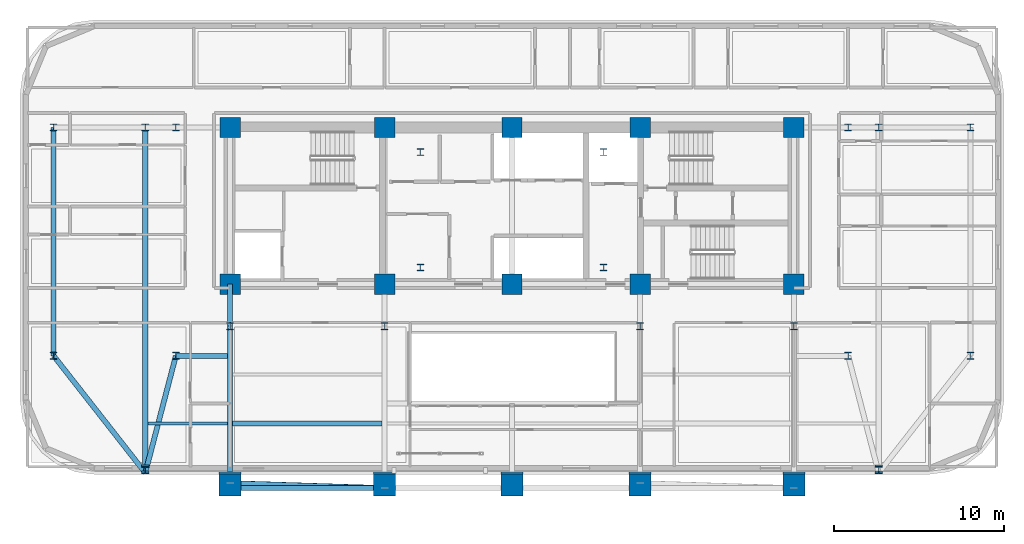
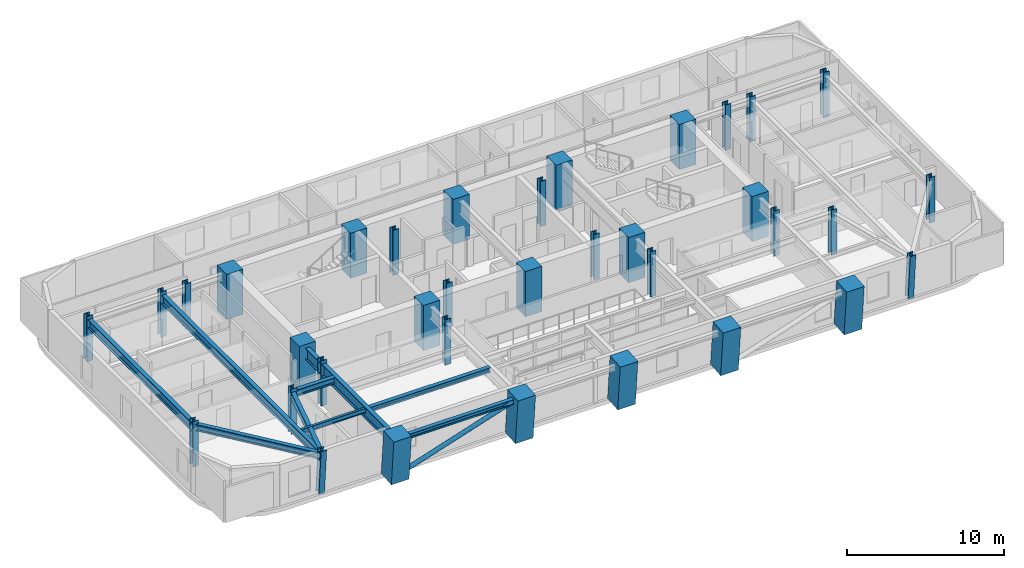
# One storey, part 1 of 15: 35 columns, 10 beams, 1 member.
"""IFC4 building model written with IfcOpenShell, lengths in metres."""

from ifc_helpers import new_model, si_unit, direction, frame, origin, origin_2d, place, context, subcontext, project, spatial, rectangle, hollow_circle, i_section, extrude, material, material_profile, profile_set, type_object, element, save


model = new_model("IFC4")

# Units and contexts
model_context = context("Model", 3, precision=1e-05, world=origin(), true_north=direction((0.0, 1.0)))
body_context = subcontext(model_context, "Body", "Model", "MODEL_VIEW")
ifc_project = project(units=[si_unit("LENGTHUNIT", "METRE"), si_unit("AREAUNIT", "SQUARE_METRE"), si_unit("VOLUMEUNIT", "CUBIC_METRE"), si_unit("PLANEANGLEUNIT", "RADIAN"), si_unit("MASSUNIT", "GRAM", prefix="KILO")], contexts=[model_context])

# Site, building, storey
site_placement = place(None, origin())
site = spatial("IfcSite", under=ifc_project, at=site_placement, CompositionType="ELEMENT")
building_placement = place(site_placement, origin())
building = spatial("IfcBuilding", under=site, at=building_placement, Name="Zarnavel Station Tower", CompositionType="ELEMENT")
storey_placement = place(building_placement, frame((0.0, 0.0, 111.800048828125)))
storey = spatial("IfcBuildingStorey", under=building, at=storey_placement, Name="L30", CompositionType="ELEMENT", Elevation=111.800048828125)

# Columns
ifc_material_1 = material(Name="Steel S460M", Category="steel")
ifc_material_profile_1 = material_profile(ifc_material_1, i_section(OverallWidth=0.41796875, OverallDepth=0.431884765625, WebThickness=0.034912109375, FlangeThickness=0.055908203125, FilletRadius=0.014892578125, at=origin_2d()), Name="HD400x421")
ifc_profile_set_1 = profile_set([ifc_material_profile_1], Name="Steel S460M")
column_type_1 = type_object("IfcColumnType", Name="EC_HD421", PredefinedType="COLUMN", material=ifc_profile_set_1)
for number, where, z_axis, x_axis, name in (
    (1, (1.800048828125, 23.60009765625, 0.0), (0.0, 0.0, 1.0), (1.0, 0.0, 0.0), "L30 Outer Wing South Column 1"),
    (2, (1.800048828125, 37.050048828125, 0.0), (0.0, 0.0, 1.0), (1.0, 0.0, 0.0), "L30 Outer Wing North Column 1"),
):
    element("IfcColumn", number, at=place(storey_placement, frame(where, z_axis=z_axis, x_axis=x_axis)), inside=storey, type_object=column_type_1, Name=name, PredefinedType="COLUMN", context=body_context, shape_type="SweptSolid", body=[
        extrude(i_section(OverallWidth=0.41796875, OverallDepth=0.431884765625, WebThickness=0.034912109375, FlangeThickness=0.055908203125, FilletRadius=0.014892578125, at=origin_2d()), origin(), (0.0, 0.0, 1.0), 3.5),
    ])
for number, where, z_axis, x_axis, name in (
    (3, (7.199951171875, 16.963623046875, 0.0), (0.0, -0.079891690793, 0.996803550226), (1.0, 0.0, 0.0), "L30 Raked Wing Column 2"),
    (4, (50.39990234375, 16.963623046875, 0.0), (0.0, -0.079891690793, 0.996803550226), (1.0, 0.0, 0.0), "L30 Raked Wing Column 3"),
):
    element("IfcColumn", number, at=place(storey_placement, frame(where, z_axis=z_axis, x_axis=x_axis)), inside=storey, type_object=column_type_1, Name=name, PredefinedType="COLUMN", context=body_context, shape_type="SweptSolid", body=[
        extrude(i_section(OverallWidth=0.41796875, OverallDepth=0.431884765625, WebThickness=0.034912109375, FlangeThickness=0.055908203125, FilletRadius=0.014892578125, at=origin_2d()), origin(), (0.0, 0.0, 1.0), 3.51123046875),
    ])
for number, where, z_axis, x_axis, name in (
    (5, (55.800048828125, 23.60009765625, 0.0), (0.0, 0.0, 1.0), (1.0, 0.0, 0.0), "L30 Outer Wing South Column 4"),
    (6, (55.800048828125, 37.050048828125, 0.0), (0.0, 0.0, 1.0), (1.0, 0.0, 0.0), "L30 Outer Wing North Column 4"),
):
    element("IfcColumn", number, at=place(storey_placement, frame(where, z_axis=z_axis, x_axis=x_axis)), inside=storey, type_object=column_type_1, Name=name, PredefinedType="COLUMN", context=body_context, shape_type="SweptSolid", body=[
        extrude(i_section(OverallWidth=0.41796875, OverallDepth=0.431884765625, WebThickness=0.034912109375, FlangeThickness=0.055908203125, FilletRadius=0.014892578125, at=origin_2d()), origin(), (0.0, 0.0, 1.0), 3.5),
    ])
ifc_material_2 = material(Name="Steel S460M", Category="steel")
ifc_material_profile_2 = material_profile(ifc_material_2, i_section(OverallWidth=0.41796875, OverallDepth=0.431884765625, WebThickness=0.034912109375, FlangeThickness=0.055908203125, FilletRadius=0.014892578125, at=origin_2d()), Name="HD400x421")
ifc_profile_set_2 = profile_set([ifc_material_profile_2], Name="Steel S460M")
column_type_2 = type_object("IfcColumnType", Name="IC_HD421", PredefinedType="COLUMN", material=ifc_profile_set_2)
for number, where, z_axis, x_axis, name in (
    (7, (23.39990234375, 28.800048828125, 0.0), (0.0, 0.0, 1.0), (1.0, 0.0, 0.0), "L30 Mast Spine Column 1"),
    (8, (34.199951171875, 28.800048828125, 0.0), (0.0, 0.0, 1.0), (1.0, 0.0, 0.0), "L30 Mast Spine Column 2"),
    (9, (34.199951171875, 35.60009765625, 0.0), (0.0, 0.0, 1.0), (1.0, 0.0, 0.0), "L30 Mast Spine Column 3"),
    (10, (23.39990234375, 35.60009765625, 0.0), (0.0, 0.0, 1.0), (1.0, 0.0, 0.0), "L30 Mast Spine Column 4"),
    (11, (12.199951171875, 25.35009765625, 0.0), (0.0, 0.0, 1.0), (1.0, 0.0, 0.0), "L30 Inner Spine Column 1"),
    (12, (21.300048828125, 25.35009765625, 0.0), (0.0, 0.0, 1.0), (1.0, 0.0, 0.0), "L30 Inner Spine Column 2"),
    (13, (36.35009765625, 25.35009765625, 0.0), (0.0, 0.0, 1.0), (1.0, 0.0, 0.0), "L30 Inner Spine Column 4"),
    (14, (45.39990234375, 25.35009765625, 0.0), (0.0, 0.0, 1.0), (1.0, 0.0, 0.0), "L30 Inner Spine Column 5"),
    (15, (9.0, 23.60009765625, 0.0), (0.0, 0.0, 1.0), (1.0, 0.0, 0.0), "L30 Inner Wing Spine Column 1-1"),
    (16, (9.0, 37.050048828125, 0.0), (0.0, 0.0, 1.0), (1.0, 0.0, 0.0), "L30 Inner Wing Spine Column 1-2"),
    (17, (48.60009765625, 23.60009765625, 0.0), (0.0, 0.0, 1.0), (1.0, 0.0, 0.0), "L30 Inner Wing Spine Column 2-1"),
    (18, (48.60009765625, 37.050048828125, 0.0), (0.0, 0.0, 1.0), (1.0, 0.0, 0.0), "L30 Inner Wing Spine Column 2-2"),
    (19, (7.199951171875, 37.050048828125, 0.0), (0.0, 0.0, 1.0), (1.0, 0.0, 0.0), "L30 Outer Wing North Column 2"),
    (20, (50.39990234375, 37.050048828125, 0.0), (0.0, 0.0, 1.0), (1.0, 0.0, 0.0), "L30 Outer Wing North Column 3"),
):
    element("IfcColumn", number, at=place(storey_placement, frame(where, z_axis=z_axis, x_axis=x_axis)), inside=storey, type_object=column_type_2, Name=name, PredefinedType="COLUMN", context=body_context, shape_type="SweptSolid", body=[
        extrude(i_section(OverallWidth=0.41796875, OverallDepth=0.431884765625, WebThickness=0.034912109375, FlangeThickness=0.055908203125, FilletRadius=0.014892578125, at=origin_2d()), origin(), (0.0, 0.0, 1.0), 3.5),
    ])
ifc_material_3 = material(Name="Concrete C50/60", Category="concrete")
ifc_material_profile_3 = material_profile(ifc_material_3, rectangle(XDim=1.199951171875, YDim=1.199951171875, at=origin_2d()), Name="RC1200x1200")
ifc_profile_set_3 = profile_set([ifc_material_profile_3], Name="Concrete C50/60")
column_type_3 = type_object("IfcColumnType", Name="IC_RC1200", PredefinedType="COLUMN", material=ifc_profile_set_3)
for number, where, z_axis, x_axis, name in (
    (21, (12.199951171875, 27.820068359375, 0.0), (0.0, 0.0, 1.0), (1.0, 0.0, 0.0), "L30 Core Spine Column 1-1"),
    (22, (12.199951171875, 37.050048828125, 0.0), (0.0, 0.0, 1.0), (1.0, 0.0, 0.0), "L30 Core Spine Column 1-2"),
    (23, (21.300048828125, 27.820068359375, 0.0), (0.0, 0.0, 1.0), (1.0, 0.0, 0.0), "L30 Core Spine Column 2-1"),
    (24, (21.300048828125, 37.050048828125, 0.0), (0.0, 0.0, 1.0), (1.0, 0.0, 0.0), "L30 Core Spine Column 2-2"),
    (25, (28.800048828125, 27.820068359375, 0.0), (0.0, 0.0, 1.0), (1.0, 0.0, 0.0), "L30 Core Spine Column 3-1"),
    (26, (28.800048828125, 37.050048828125, 0.0), (0.0, 0.0, 1.0), (1.0, 0.0, 0.0), "L30 Core Spine Column 3-2"),
    (27, (36.35009765625, 27.820068359375, 0.0), (0.0, 0.0, 1.0), (1.0, 0.0, 0.0), "L30 Core Spine Column 4-1"),
    (28, (36.35009765625, 37.050048828125, 0.0), (0.0, 0.0, 1.0), (1.0, 0.0, 0.0), "L30 Core Spine Column 4-2"),
    (29, (45.39990234375, 27.820068359375, 0.0), (0.0, 0.0, 1.0), (1.0, 0.0, 0.0), "L30 Core Spine Column 5-1"),
    (30, (45.39990234375, 37.050048828125, 0.0), (0.0, 0.0, 1.0), (1.0, 0.0, 0.0), "L30 Core Spine Column 5-2"),
):
    element("IfcColumn", number, at=place(storey_placement, frame(where, z_axis=z_axis, x_axis=x_axis)), inside=storey, type_object=column_type_3, Name=name, PredefinedType="COLUMN", context=body_context, shape_type="SweptSolid", body=[
        extrude(rectangle(XDim=1.199951171875, YDim=1.199951171875, at=origin_2d()), origin(), (0.0, 0.0, 1.0), 3.5),
    ])
ifc_material_4 = material(Name="Concrete C60/75", Category="concrete")
ifc_material_profile_4 = material_profile(ifc_material_4, rectangle(XDim=1.300048828125, YDim=1.300048828125, at=origin_2d()), Name="RC1300x1300")
ifc_profile_set_4 = profile_set([ifc_material_profile_4], Name="Concrete C60/75")
column_type_4 = type_object("IfcColumnType", Name="MC_RC1300", PredefinedType="COLUMN", material=ifc_profile_set_4)
for number, where, z_axis, x_axis, name in (
    (31, (12.199951171875, 16.0966796875, 0.0), (0.0, -0.090241349316, 0.995919925935), (1.0, 0.0, 0.0), "L30 Raked South Mega-Column 1"),
    (32, (21.300048828125, 16.0966796875, 0.0), (0.0, -0.090241349316, 0.995919925935), (1.0, 0.0, 0.0), "L30 Raked South Mega-Column 2"),
    (33, (28.800048828125, 16.0966796875, 0.0), (0.0, -0.090241349316, 0.995919925935), (1.0, 0.0, 0.0), "L30 Raked South Mega-Column 3"),
    (34, (36.35009765625, 16.0966796875, 0.0), (0.0, -0.090241349316, 0.995919925935), (1.0, 0.0, 0.0), "L30 Raked South Mega-Column 4"),
    (35, (45.39990234375, 16.0966796875, 0.0), (0.0, -0.090241349316, 0.995919925935), (1.0, 0.0, 0.0), "L30 Raked South Mega-Column 5"),
):
    element("IfcColumn", number, at=place(storey_placement, frame(where, z_axis=z_axis, x_axis=x_axis)), inside=storey, type_object=column_type_4, Name=name, PredefinedType="COLUMN", context=body_context, shape_type="SweptSolid", body=[
        extrude(rectangle(XDim=1.300048828125, YDim=1.300048828125, at=origin_2d()), origin(), (0.0, 0.0, 1.0), 3.514404296875),
    ])

# Member
ifc_material_5 = material(Name="Steel S355J2", Category="steel")
ifc_material_profile_5 = material_profile(ifc_material_5, hollow_circle(Radius=0.161865234375, WallThickness=0.012451171875, at=origin_2d()), Name="CHS323.9x12.5")
ifc_profile_set_5 = profile_set([ifc_material_profile_5], Name="Steel S355J2")
member_type = type_object("IfcMemberType", Name="DB_EXT_CHS324", PredefinedType="BRACE", material=ifc_profile_set_5)
member_placement = place(storey_placement, frame((12.199951171875, 16.0966796875, 0.0), z_axis=(0.941635675338, -0.030390827854, 0.335259082669), x_axis=(0.032257711549, 0.999479584607, 0.0)))
element("IfcMember", 36, at=member_placement, inside=storey, type_object=member_type, Name="L30 Persian Exterior Diagonal Frame Brace 1", PredefinedType="BRACE", context=body_context, shape_type="SweptSolid", body=[
    extrude(hollow_circle(Radius=0.161865234375, WallThickness=0.012451171875, at=origin_2d()), origin(), (0.0, 0.0, 1.0), 9.6640625),
])

# Beams
ifc_material_6 = material(Name="Steel S355J2", Category="steel")
ifc_material_profile_6 = material_profile(ifc_material_6, i_section(OverallWidth=0.300048828125, OverallDepth=0.360107421875, WebThickness=0.012451171875, FlangeThickness=0.0224609375, FilletRadius=0.027099609375, at=origin_2d()), Name="HEB360")
ifc_profile_set_6 = profile_set([ifc_material_profile_6], Name="Steel S355J2")
beam_type_1 = type_object("IfcBeamType", Name="EB_HEB360", PredefinedType="SPANDREL", material=ifc_profile_set_6)
beam_1_placement = place(storey_placement, frame((12.199951171875, 15.802978515625, 3.06005859375), z_axis=(1.0, 0.0, 0.0), x_axis=(0.0, 1.0, 0.0)))
element("IfcBeam", 37, at=beam_1_placement, inside=storey, type_object=beam_type_1, Name="L30 South Raked Spandrel 1", PredefinedType="SPANDREL", context=body_context, shape_type="SweptSolid", body=[
    extrude(i_section(OverallWidth=0.300048828125, OverallDepth=0.360107421875, WebThickness=0.012451171875, FlangeThickness=0.0224609375, FilletRadius=0.027099609375, at=origin_2d()), origin(), (0.0, 0.0, 1.0), 9.10009765625),
])
ifc_material_7 = material(Name="Steel S355J2", Category="steel")
ifc_material_profile_7 = material_profile(ifc_material_7, i_section(OverallWidth=0.300048828125, OverallDepth=0.35009765625, WebThickness=0.010009765625, FlangeThickness=0.017578125, FilletRadius=0.027099609375, at=origin_2d()), Name="HEA360")
ifc_profile_set_7 = profile_set([ifc_material_profile_7], Name="Steel S355J2")
beam_type_2 = type_object("IfcBeamType", Name="FB_HEA360", PredefinedType="BEAM", material=ifc_profile_set_7)
beam_2_placement = place(storey_placement, frame((12.344970703125, 19.60205078125, 3.06494140625), z_axis=(1.0, 0.0, 0.0), x_axis=(0.0, 1.0, 0.0)))
element("IfcBeam", 38, at=beam_2_placement, inside=storey, type_object=beam_type_2, Name="L30 West Bay Beam 1", PredefinedType="BEAM", context=body_context, shape_type="SweptSolid", body=[
    extrude(i_section(OverallWidth=0.300048828125, OverallDepth=0.35009765625, WebThickness=0.010009765625, FlangeThickness=0.017578125, FilletRadius=0.027099609375, at=origin_2d()), origin(), (0.0, 0.0, 1.0), 8.81005859375),
])
ifc_material_8 = material(Name="Steel S355J2", Category="steel")
ifc_material_profile_8 = material_profile(ifc_material_8, i_section(OverallWidth=0.300048828125, OverallDepth=0.5, WebThickness=0.014404296875, FlangeThickness=0.028076171875, FilletRadius=0.027099609375, at=origin_2d()), Name="HEB500")
ifc_profile_set_8 = profile_set([ifc_material_profile_8], Name="Steel S355J2")
beam_type_3 = type_object("IfcBeamType", Name="FG_HEB500", PredefinedType="USERDEFINED", material=ifc_profile_set_8)
beam_3_placement = place(storey_placement, frame((1.800048828125, 23.60009765625, 2.989990234375), z_axis=(0.616523194121, -0.787336745688, 0.0), x_axis=(0.787336745688, 0.616523194121, 0.0)))
element("IfcBeam", 39, at=beam_3_placement, inside=storey, type_object=beam_type_3, Name="L30 West Wing South Tie 1", ObjectType="GIRDER", PredefinedType="USERDEFINED", context=body_context, shape_type="SweptSolid", body=[
    extrude(i_section(OverallWidth=0.300048828125, OverallDepth=0.5, WebThickness=0.014404296875, FlangeThickness=0.028076171875, FilletRadius=0.027099609375, at=origin_2d()), origin(), (0.0, 0.0, 1.0), 8.758544921875),
])
beam_4_placement = place(storey_placement, frame((7.199951171875, 16.7041015625, 2.989990234375), z_axis=(0.252565524792, 0.96757979293, 0.0), x_axis=(-0.96757979293, 0.252565524792, 0.0)))
element("IfcBeam", 40, at=beam_4_placement, inside=storey, type_object=beam_type_3, Name="L30 West Wing South Tie 2", ObjectType="GIRDER", PredefinedType="USERDEFINED", context=body_context, shape_type="SweptSolid", body=[
    extrude(i_section(OverallWidth=0.300048828125, OverallDepth=0.5, WebThickness=0.014404296875, FlangeThickness=0.028076171875, FilletRadius=0.027099609375, at=origin_2d()), origin(), (0.0, 0.0, 1.0), 7.126953125),
])
beam_5_placement = place(storey_placement, frame((9.0, 23.60009765625, 2.989990234375), z_axis=(1.0, 0.0, 0.0), x_axis=(0.0, 1.0, 0.0)))
element("IfcBeam", 41, at=beam_5_placement, inside=storey, type_object=beam_type_3, Name="L30 West Wing South Tie 3", ObjectType="GIRDER", PredefinedType="USERDEFINED", context=body_context, shape_type="SweptSolid", body=[
    extrude(i_section(OverallWidth=0.300048828125, OverallDepth=0.5, WebThickness=0.014404296875, FlangeThickness=0.028076171875, FilletRadius=0.027099609375, at=origin_2d()), origin(), (0.0, 0.0, 1.0), 3.054931640625),
])
ifc_material_9 = material(Name="Steel S355J2", Category="steel")
ifc_material_profile_9 = material_profile(ifc_material_9, i_section(OverallWidth=0.300048828125, OverallDepth=0.64990234375, WebThickness=0.01611328125, FlangeThickness=0.031005859375, FilletRadius=0.027099609375, at=origin_2d()), Name="HEB650")
ifc_profile_set_9 = profile_set([ifc_material_profile_9], Name="Steel S355J2")
beam_type_4 = type_object("IfcBeamType", Name="FG_HEB650", PredefinedType="USERDEFINED", material=ifc_profile_set_9)
beam_6_placement = place(storey_placement, frame((1.800048828125, 23.60009765625, 2.9150390625), z_axis=(0.0, 1.0, 0.0), x_axis=(-1.0, 0.0, 0.0)))
element("IfcBeam", 42, at=beam_6_placement, inside=storey, type_object=beam_type_4, Name="L30 Wing NS Girder 1", ObjectType="GIRDER", PredefinedType="USERDEFINED", context=body_context, shape_type="SweptSolid", body=[
    extrude(i_section(OverallWidth=0.300048828125, OverallDepth=0.64990234375, WebThickness=0.01611328125, FlangeThickness=0.031005859375, FilletRadius=0.027099609375, at=origin_2d()), origin(), (0.0, 0.0, 1.0), 13.449951171875),
])
beam_7_placement = place(storey_placement, frame((7.199951171875, 16.7041015625, 2.9150390625), z_axis=(0.0, 1.0, 0.0), x_axis=(-1.0, 0.0, 0.0)))
element("IfcBeam", 43, at=beam_7_placement, inside=storey, type_object=beam_type_4, Name="L30 Wing NS Girder 2", ObjectType="GIRDER", PredefinedType="USERDEFINED", context=body_context, shape_type="SweptSolid", body=[
    extrude(i_section(OverallWidth=0.300048828125, OverallDepth=0.64990234375, WebThickness=0.01611328125, FlangeThickness=0.031005859375, FilletRadius=0.027099609375, at=origin_2d()), origin(), (0.0, 0.0, 1.0), 20.345947265625),
])
ifc_material_10 = material(Name="Steel S355J2", Category="steel")
ifc_material_profile_10 = material_profile(ifc_material_10, i_section(OverallWidth=0.169921875, OverallDepth=0.360107421875, WebThickness=0.008056640625, FlangeThickness=0.0126953125, FilletRadius=0.01806640625, at=origin_2d()), Name="IPE360")
ifc_profile_set_10 = profile_set([ifc_material_profile_10], Name="Steel S355J2")
beam_type_5 = type_object("IfcBeamType", Name="FJ_IPE360", PredefinedType="JOIST", material=ifc_profile_set_10)
beam_8_placement = place(storey_placement, frame((7.344970703125, 19.60205078125, 3.06005859375), z_axis=(1.0, 0.0, 0.0), x_axis=(0.0, 1.0, 0.0)))
element("IfcBeam", 44, at=beam_8_placement, inside=storey, type_object=beam_type_5, Name="L30 West Wing Joist 1", PredefinedType="JOIST", context=body_context, shape_type="SweptSolid", body=[
    extrude(i_section(OverallWidth=0.169921875, OverallDepth=0.360107421875, WebThickness=0.008056640625, FlangeThickness=0.0126953125, FilletRadius=0.01806640625, at=origin_2d()), origin(), (0.0, 0.0, 1.0), 4.7099609375),
])
ifc_material_11 = material(Name="Steel S460M", Category="steel")
ifc_material_profile_11 = material_profile(ifc_material_11, i_section(OverallWidth=0.302001953125, OverallDepth=0.909912109375, WebThickness=0.02099609375, FlangeThickness=0.0400390625, FilletRadius=0.030029296875, at=origin_2d()), Name="HEM900")
ifc_profile_set_11 = profile_set([ifc_material_profile_11], Name="Steel S460M")
beam_type_6 = type_object("IfcBeamType", Name="TG_HEM900", PredefinedType="USERDEFINED", material=ifc_profile_set_11)
beam_9_placement = place(storey_placement, frame((12.199951171875, 15.802978515625, 2.784912109375), z_axis=(0.0, 1.0, 0.0), x_axis=(-1.0, 0.0, 0.0)))
element("IfcBeam", 45, at=beam_9_placement, inside=storey, type_object=beam_type_6, Name="L30 South-Zone NS Girder 1", ObjectType="GIRDER", PredefinedType="USERDEFINED", context=body_context, shape_type="SweptSolid", body=[
    extrude(i_section(OverallWidth=0.302001953125, OverallDepth=0.909912109375, WebThickness=0.02099609375, FlangeThickness=0.0400390625, FilletRadius=0.030029296875, at=origin_2d()), origin(), (0.0, 0.0, 1.0), 9.547119140625),
])
beam_10_placement = place(storey_placement, frame((12.199951171875, 25.35009765625, 2.784912109375), z_axis=(0.0, 1.0, 0.0), x_axis=(-1.0, 0.0, 0.0)))
element("IfcBeam", 46, at=beam_10_placement, inside=storey, type_object=beam_type_6, Name="L30 Inner-Zone NS Girder 1", ObjectType="GIRDER", PredefinedType="USERDEFINED", context=body_context, shape_type="SweptSolid", body=[
    extrude(i_section(OverallWidth=0.302001953125, OverallDepth=0.909912109375, WebThickness=0.02099609375, FlangeThickness=0.0400390625, FilletRadius=0.030029296875, at=origin_2d()), origin(), (0.0, 0.0, 1.0), 2.469970703125),
])

save(model, "model.ifc")
